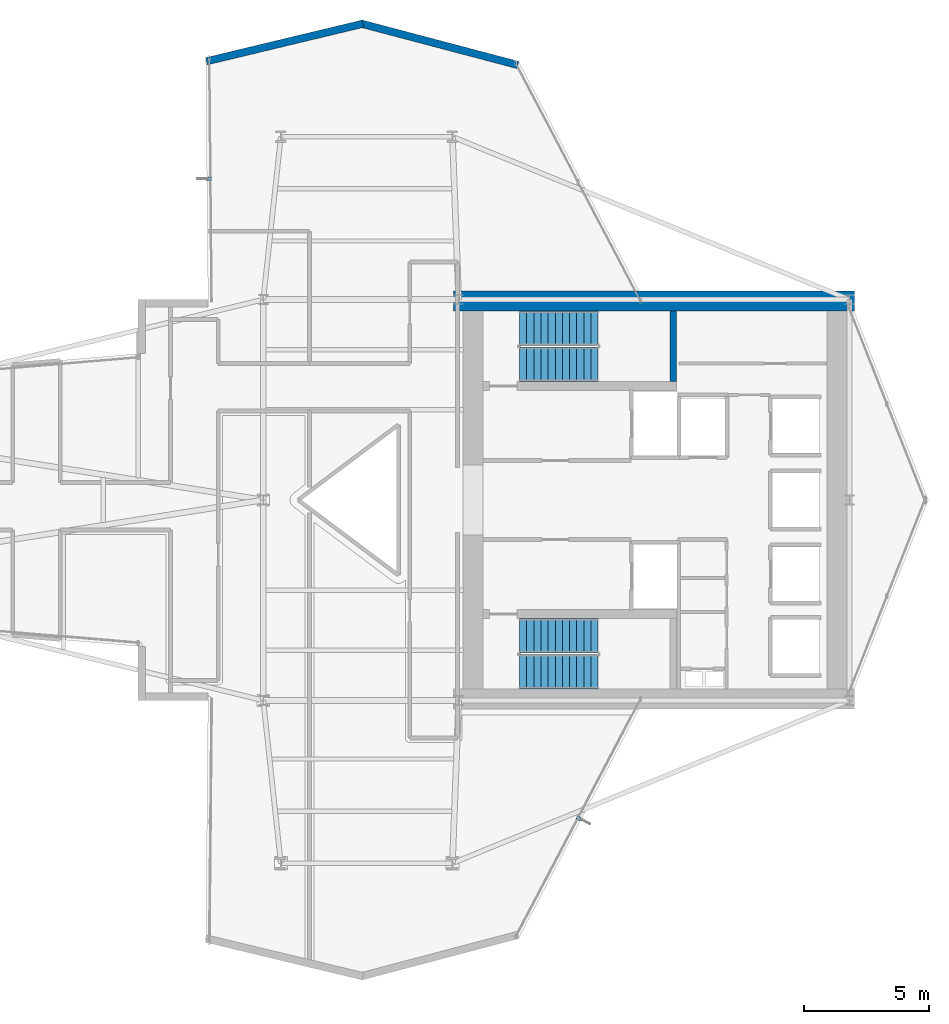
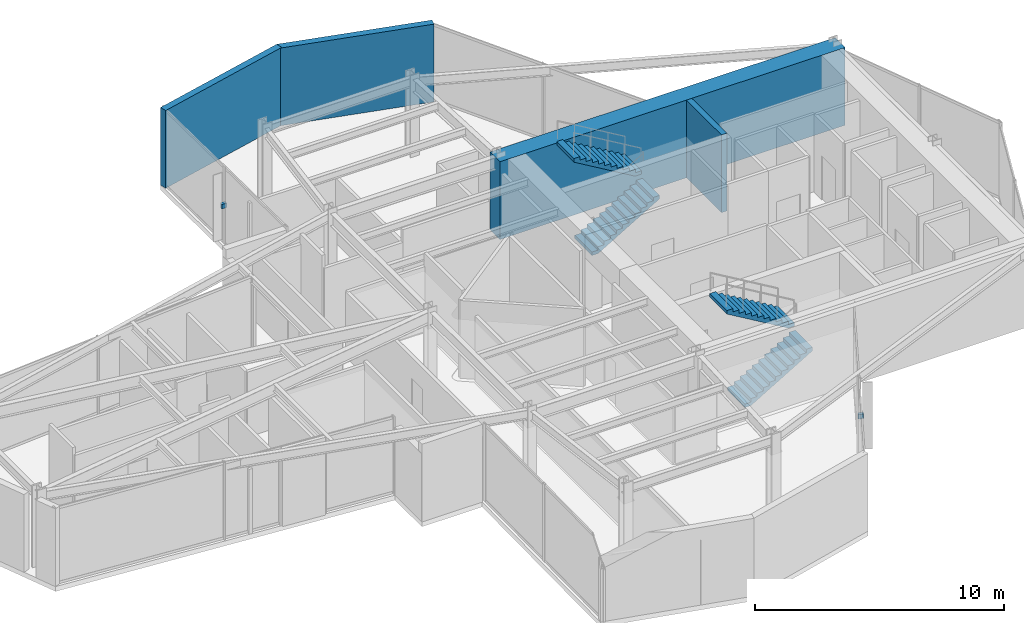
# One storey, part 23 of 25: 4 stair flights, 4 walls, 2 discrete accessories, 2 elements without a shape of their own.
"""IFC4 building model written with IfcOpenShell, lengths in metres."""

from ifc_helpers import new_model, si_unit, direction, frame, frame_2d, origin, origin_2d, place, context, subcontext, project, spatial, polyline, rectangle, outline, extrude, material, layer, layer_set, type_object, element, aggregate, save


model = new_model("IFC4")

# Units and contexts
model_context = context("Model", 3, precision=1e-05, world=origin(), true_north=direction((0.0, 1.0)))
body_context = subcontext(model_context, "Body", "Model", "MODEL_VIEW")
ifc_project = project(units=[si_unit("LENGTHUNIT", "METRE"), si_unit("AREAUNIT", "SQUARE_METRE"), si_unit("VOLUMEUNIT", "CUBIC_METRE"), si_unit("PLANEANGLEUNIT", "RADIAN"), si_unit("MASSUNIT", "GRAM", prefix="KILO")], contexts=[model_context])

# Site, building, storey
site_placement = place(None, origin())
site = spatial("IfcSite", under=ifc_project, at=site_placement, CompositionType="ELEMENT")
building_placement = place(site_placement, origin())
building = spatial("IfcBuilding", under=site, at=building_placement, Name="Veymaron Broadcast Tower", CompositionType="ELEMENT")
storey_placement = place(building_placement, frame((0.0, 0.0, 145.199951171875)))
storey = spatial("IfcBuildingStorey", under=building, at=storey_placement, Name="L33", CompositionType="ELEMENT", Elevation=145.199951171875)

# Walls
ifc_material_1 = material(Name="Precast concrete C40/50 with mineral-wool insulation", Category="concrete")
ifc_layer_1 = layer(ifc_material_1, 0.300048828125)
ifc_layer_set_1 = layer_set([ifc_layer_1], Name="Precast concrete C40/50 with mineral-wool insulation")
wall_type_1 = type_object("IfcWallType", Name="WALL-EXT-300", PredefinedType="STANDARD", material=ifc_layer_set_1)
wall_1_placement = place(storey_placement, frame((41.362060546875, 41.364501953125, 0.0), z_axis=(0.0, 0.0, 1.0), x_axis=(-0.966846094442, 0.255359804319, 0.0)))
element("IfcWall", 1, at=wall_1_placement, inside=storey, type_object=wall_type_1, Name="L33 notched corner facade pier 6-1", PredefinedType="STANDARD", context=body_context, shape_type="SweptSolid", body=[
    extrude(rectangle(XDim=6.462158203125, YDim=0.300048828125, at=frame_2d((3.23095703125, 0.0))), origin(), (0.0, 0.0, 1.0), 3.81005859375),
])
wall_2_placement = place(storey_placement, frame((35.1826171875, 43.013916015625, 0.0), z_axis=(0.0, 0.0, 1.0), x_axis=(-0.972368674271, -0.233450554286, 0.0)))
element("IfcWall", 2, at=wall_2_placement, inside=storey, type_object=wall_type_1, Name="L33 notched corner facade pier 7-1", PredefinedType="STANDARD", context=body_context, shape_type="SweptSolid", body=[
    extrude(rectangle(XDim=6.42529296875, YDim=0.300048828125, at=frame_2d((3.212646484375, 0.0))), origin(), (0.0, 0.0, 1.0), 3.81005859375),
])
ifc_material_2 = material(Name="Concrete C50/60", Category="concrete")
ifc_layer_2 = layer(ifc_material_2, 0.25)
ifc_layer_set_2 = layer_set([ifc_layer_2], Name="Concrete C50/60")
wall_type_2 = type_object("IfcWallType", Name="WALL-SHEAR-250", PredefinedType="SHEAR", material=ifc_layer_set_2)
wall_3_placement = place(storey_placement, frame((47.56494140625, 28.72998046875, 0.0), z_axis=(0.0, 0.0, 1.0), x_axis=(0.0, 1.0, 0.0)))
element("IfcWall", 3, at=wall_3_placement, inside=storey, type_object=wall_type_2, Name="L33 Core Wall north stair east shear", PredefinedType="SHEAR", context=body_context, shape_type="SweptSolid", body=[
    extrude(rectangle(XDim=2.820068359375, YDim=0.25, at=frame_2d((1.41015625, 0.0))), origin(), (0.0, 0.0, 1.0), 3.81005859375),
])
ifc_material_3 = material(Name="Concrete C60/75", Category="concrete")
ifc_layer_3 = layer(ifc_material_3, 0.800048828125)
ifc_layer_set_3 = layer_set([ifc_layer_3], Name="Concrete C60/75")
wall_type_3 = type_object("IfcWallType", Name="WALL-SHEAR-800", PredefinedType="SHEAR", material=ifc_layer_set_3)
wall_4_placement = place(storey_placement, frame((38.800048828125, 31.949951171875, 0.0), z_axis=(0.0, 0.0, 1.0), x_axis=(1.0, 0.0, 0.0)))
element("IfcWall", 4, at=wall_4_placement, inside=storey, type_object=wall_type_3, Name="L33 Core Wall north shear", PredefinedType="SHEAR", context=body_context, shape_type="SweptSolid", body=[
    extrude(rectangle(XDim=16.0, YDim=0.800048828125, at=frame_2d((8.0, 0.0))), origin(), (0.0, 0.0, 1.0), 3.81005859375),
])

# Stair, stair flights
stair_type_1 = type_object("IfcStairType", Name="STAIR-CORE-1", PredefinedType="HALF_TURN_STAIR", material=ifc_material_2)
stair_1_placement = place(storey_placement, origin())
stair_1 = element("IfcStair", 5, at=stair_1_placement, inside=storey, type_object=stair_type_1, Name="L33 North protected dog-leg exit stair ST1", PredefinedType="HALF_TURN_STAIR")
ifc_material_4 = material(Name="Precast concrete C50/60", Category="concrete")
stair_flight_type = type_object("IfcStairFlightType", Name="FLT-CORE-RC", PredefinedType="STRAIGHT", material=ifc_material_4)
stair_flight_1_placement = place(storey_placement, frame((41.429931640625, 29.419921875, 0.0), z_axis=(0.0, 0.0, 1.0), x_axis=(1.0, 0.0, 0.0)))
stair_flight_1 = element("IfcStairFlight", 6, at=stair_flight_1_placement, type_object=stair_flight_type, Name="ST1 flight 1", NumberOfRisers=12, NumberOfTreads=11, PredefinedType="STRAIGHT", RiserHeight=0.16875, TreadLength=0.285, context=body_context, shape_type="SweptSolid", body=[
    extrude(outline(polyline([(0.0, 0.0), (0.0, 0.168701171875), (0.284912109375, 0.168701171875), (0.284912109375, 0.33740234375), (0.570068359375, 0.33740234375), (0.570068359375, 0.50634765625), (0.85498046875, 0.50634765625), (0.85498046875, 0.675048828125), (1.139892578125, 0.675048828125), (1.139892578125, 0.84375), (1.425048828125, 0.84375), (1.425048828125, 1.012451171875), (1.7099609375, 1.012451171875), (1.7099609375, 1.18115234375), (1.9951171875, 1.18115234375), (1.9951171875, 1.35009765625), (2.280029296875, 1.35009765625), (2.280029296875, 1.518798828125), (2.56494140625, 1.518798828125), (2.56494140625, 1.6875), (2.85009765625, 1.6875), (2.85009765625, 1.856201171875), (3.135009765625, 1.856201171875), (3.135009765625, 2.02490234375), (3.135009765625, 1.68212890625), (0.294189453125, 0.0), (0.0, 0.0)])), frame((0.0, 0.68994140625, 0.0), z_axis=(0.0, -1.0, 0.0), x_axis=(1.0, 0.0, 0.0)), (0.0, 0.0, 1.0), 1.3798828125),
])
stair_flight_2_placement = place(storey_placement, frame((44.56494140625, 30.860107421875, 2.025146484375), z_axis=(0.0, 0.0, 1.0), x_axis=(-1.0, 0.0, 0.0)))
stair_flight_2 = element("IfcStairFlight", 7, at=stair_flight_2_placement, type_object=stair_flight_type, Name="ST1 flight 2", NumberOfRisers=12, NumberOfTreads=11, PredefinedType="STRAIGHT", RiserHeight=0.16875, TreadLength=0.285, context=body_context, shape_type="SweptSolid", body=[
    extrude(outline(polyline([(0.0, 0.0), (0.0, 0.168701171875), (0.284912109375, 0.168701171875), (0.284912109375, 0.33740234375), (0.570068359375, 0.33740234375), (0.570068359375, 0.50634765625), (0.85498046875, 0.50634765625), (0.85498046875, 0.675048828125), (1.139892578125, 0.675048828125), (1.139892578125, 0.84375), (1.425048828125, 0.84375), (1.425048828125, 1.012451171875), (1.7099609375, 1.012451171875), (1.7099609375, 1.18115234375), (1.9951171875, 1.18115234375), (1.9951171875, 1.35009765625), (2.280029296875, 1.35009765625), (2.280029296875, 1.518798828125), (2.56494140625, 1.518798828125), (2.56494140625, 1.6875), (2.85009765625, 1.6875), (2.85009765625, 1.856201171875), (3.135009765625, 1.856201171875), (3.135009765625, 2.02490234375), (3.135009765625, 1.68212890625), (0.294189453125, 0.0), (0.0, 0.0)])), frame((0.0, 0.68994140625, 0.0), z_axis=(0.0, -1.0, 0.0), x_axis=(1.0, 0.0, 0.0)), (0.0, 0.0, 1.0), 1.3798828125),
])
aggregate(stair_1, [stair_flight_1, stair_flight_2])

stair_type_2 = type_object("IfcStairType", Name="STAIR-CORE-2", PredefinedType="HALF_TURN_STAIR", material=ifc_material_2)
stair_2_placement = place(storey_placement, origin())
stair_2 = element("IfcStair", 8, at=stair_2_placement, inside=storey, type_object=stair_type_2, Name="L33 South protected dog-leg exit stair ST2", PredefinedType="HALF_TURN_STAIR")
stair_flight_3_placement = place(storey_placement, frame((41.429931640625, 17.139892578125, 0.0), z_axis=(0.0, 0.0, 1.0), x_axis=(1.0, 0.0, 0.0)))
stair_flight_3 = element("IfcStairFlight", 9, at=stair_flight_3_placement, type_object=stair_flight_type, Name="ST2 flight 1", NumberOfRisers=12, NumberOfTreads=11, PredefinedType="STRAIGHT", RiserHeight=0.16875, TreadLength=0.285, context=body_context, shape_type="SweptSolid", body=[
    extrude(outline(polyline([(0.0, 0.0), (0.0, 0.168701171875), (0.284912109375, 0.168701171875), (0.284912109375, 0.33740234375), (0.570068359375, 0.33740234375), (0.570068359375, 0.50634765625), (0.85498046875, 0.50634765625), (0.85498046875, 0.675048828125), (1.139892578125, 0.675048828125), (1.139892578125, 0.84375), (1.425048828125, 0.84375), (1.425048828125, 1.012451171875), (1.7099609375, 1.012451171875), (1.7099609375, 1.18115234375), (1.9951171875, 1.18115234375), (1.9951171875, 1.35009765625), (2.280029296875, 1.35009765625), (2.280029296875, 1.518798828125), (2.56494140625, 1.518798828125), (2.56494140625, 1.6875), (2.85009765625, 1.6875), (2.85009765625, 1.856201171875), (3.135009765625, 1.856201171875), (3.135009765625, 2.02490234375), (3.135009765625, 1.68212890625), (0.294189453125, 0.0), (0.0, 0.0)])), frame((0.0, 0.68994140625, 0.0), z_axis=(0.0, -1.0, 0.0), x_axis=(1.0, 0.0, 0.0)), (0.0, 0.0, 1.0), 1.3798828125),
])
stair_flight_4_placement = place(storey_placement, frame((44.56494140625, 18.580078125, 2.025146484375), z_axis=(0.0, 0.0, 1.0), x_axis=(-1.0, 0.0, 0.0)))
stair_flight_4 = element("IfcStairFlight", 10, at=stair_flight_4_placement, type_object=stair_flight_type, Name="ST2 flight 2", NumberOfRisers=12, NumberOfTreads=11, PredefinedType="STRAIGHT", RiserHeight=0.16875, TreadLength=0.285, context=body_context, shape_type="SweptSolid", body=[
    extrude(outline(polyline([(0.0, 0.0), (0.0, 0.168701171875), (0.284912109375, 0.168701171875), (0.284912109375, 0.33740234375), (0.570068359375, 0.33740234375), (0.570068359375, 0.50634765625), (0.85498046875, 0.50634765625), (0.85498046875, 0.675048828125), (1.139892578125, 0.675048828125), (1.139892578125, 0.84375), (1.425048828125, 0.84375), (1.425048828125, 1.012451171875), (1.7099609375, 1.012451171875), (1.7099609375, 1.18115234375), (1.9951171875, 1.18115234375), (1.9951171875, 1.35009765625), (2.280029296875, 1.35009765625), (2.280029296875, 1.518798828125), (2.56494140625, 1.518798828125), (2.56494140625, 1.6875), (2.85009765625, 1.6875), (2.85009765625, 1.856201171875), (3.135009765625, 1.856201171875), (3.135009765625, 2.02490234375), (3.135009765625, 1.68212890625), (0.294189453125, 0.0), (0.0, 0.0)])), frame((0.0, 0.68994140625, 0.0), z_axis=(0.0, -1.0, 0.0), x_axis=(1.0, 0.0, 0.0)), (0.0, 0.0, 1.0), 1.3798828125),
])
aggregate(stair_2, [stair_flight_3, stair_flight_4])

# Discrete accessories
ifc_material_5 = material(Name="Austenitic stainless steel AISI 316L", Category="steel")
ifc_layer_4 = layer(ifc_material_5, 0.1201171875)
ifc_layer_set_4 = layer_set([ifc_layer_4], Name="Austenitic stainless steel AISI 316L")
discrete_accessory_type = type_object("IfcDiscreteAccessoryType", Name="ACC-BRKT-SS1", PredefinedType="BRACKET", material=ifc_layer_set_4)
for number, where, z_axis, x_axis, name in (
    (11, (29.02734375, 36.82568359375, 1.794921875), (0.0, 0.0, 1.0), (-0.999956242636, -0.009354828341, 0.0), "CW-L33-E8-1 fin bracket 1"),
    (12, (43.818115234375, 11.287109375, 1.794921875), (0.0, 0.0, 1.0), (0.885588260654, -0.46447113214, 0.0), "CW-L33-E20-1 fin bracket 1"),
):
    element("IfcDiscreteAccessory", number, at=place(storey_placement, frame(where, z_axis=z_axis, x_axis=x_axis)), inside=storey, type_object=discrete_accessory_type, Name=name, PredefinedType="BRACKET", context=body_context, shape_type="SweptSolid", body=[
        extrude(rectangle(XDim=0.219970703125, YDim=0.139892578125, at=origin_2d()), origin(), (0.0, 0.0, 1.0), 0.219970703125),
    ])

save(model, "model.ifc")
